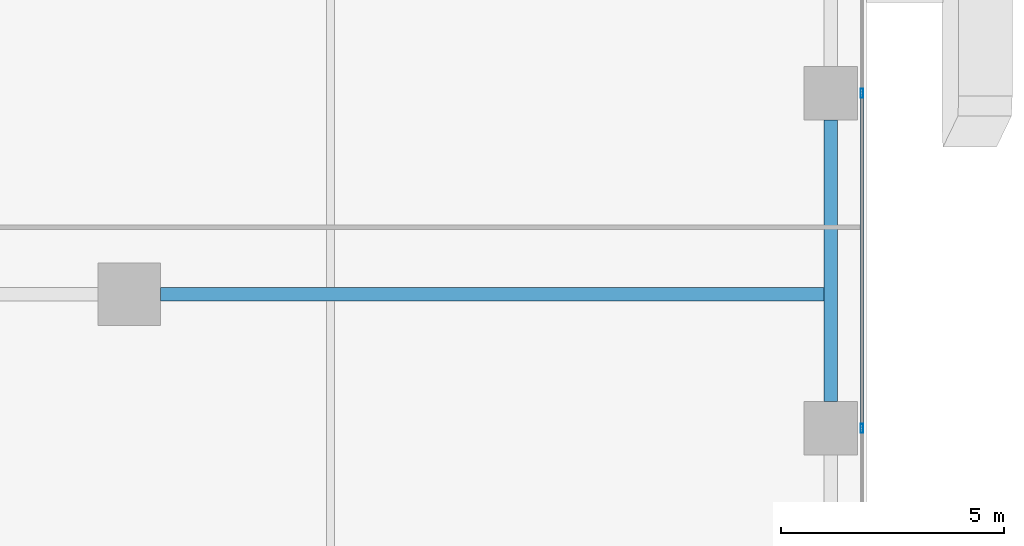
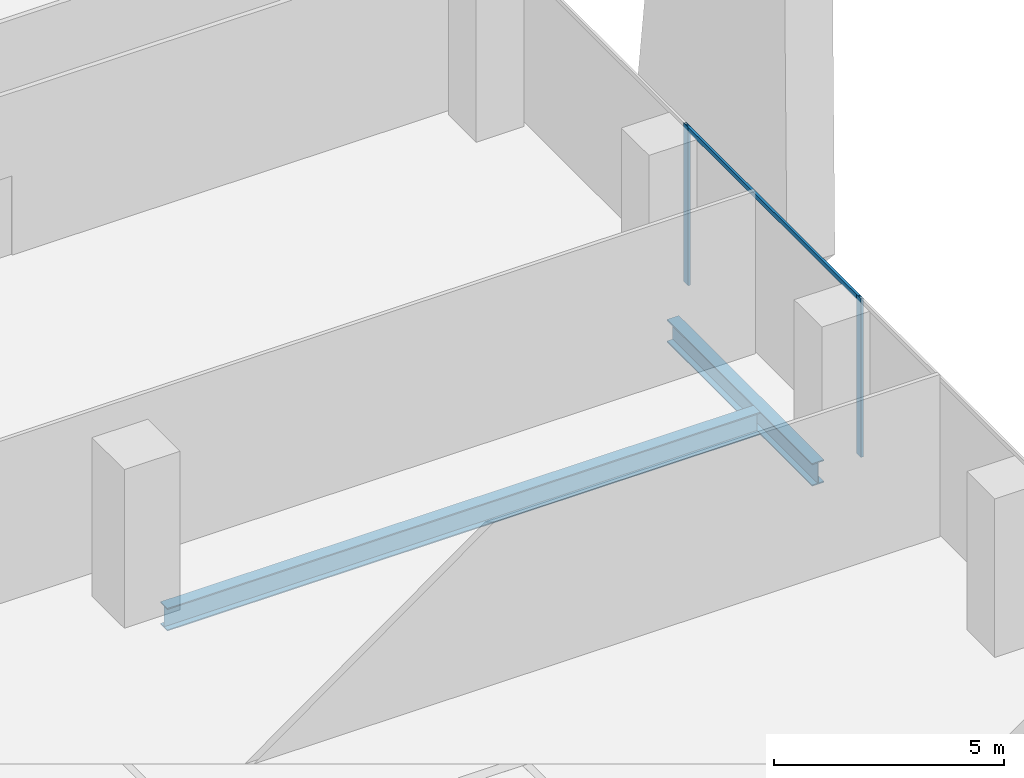
# One storey, part 10 of 34: 3 members, 2 beams, 1 element without a shape of its own.
"""IFC4 building model written with IfcOpenShell, lengths in metres."""

from ifc_helpers import new_model, si_unit, direction, frame, origin, origin_2d, place, context, subcontext, project, spatial, hollow_rectangle, i_section, extrude, source, transform, mapped, material, material_profile, profile_set, type_object, element, aggregate, save


model = new_model("IFC4")

# Units and contexts
model_context = context("Model", 3, precision=1e-05, world=origin(), true_north=direction((0.0, 1.0)))
body_context = subcontext(model_context, "Body", "Model", "MODEL_VIEW")
ifc_project = project(units=[si_unit("LENGTHUNIT", "METRE"), si_unit("AREAUNIT", "SQUARE_METRE"), si_unit("VOLUMEUNIT", "CUBIC_METRE"), si_unit("PLANEANGLEUNIT", "RADIAN"), si_unit("MASSUNIT", "GRAM", prefix="KILO")], contexts=[model_context])

# Site, building, storey
site_placement = place(None, origin())
site = spatial("IfcSite", under=ifc_project, at=site_placement, CompositionType="ELEMENT")
building_placement = place(site_placement, origin())
building = spatial("IfcBuilding", under=site, at=building_placement, Name="Khomas Fold Tower", CompositionType="ELEMENT")
storey_placement = place(building_placement, frame((0.0, 0.0, 51.0)))
storey = spatial("IfcBuildingStorey", under=building, at=storey_placement, Name="L10", CompositionType="ELEMENT", Elevation=51.0)

# Beams
ifc_material_1 = material(Name="Steel S355", Category="steel")
ifc_material_profile_1 = material_profile(ifc_material_1, i_section(OverallWidth=0.300048828125, OverallDepth=0.60009765625, WebThickness=0.015380859375, FlangeThickness=0.030029296875, at=origin_2d()), Name="HE 600 B")
ifc_profile_set_1 = profile_set([ifc_material_profile_1], Name="Steel S355")
beam_type_1 = type_object("IfcBeamType", Name="HE 600 B spandrel SB1", PredefinedType="SPANDREL", material=ifc_profile_set_1)
shared_shape_1 = source(origin(), body_context, "Body", "SweptSolid", [
    extrude(i_section(OverallWidth=0.300048828125, OverallDepth=0.60009765625, WebThickness=0.015380859375, FlangeThickness=0.030029296875, at=origin_2d()), origin(), (0.0, 0.0, 1.0), 6.2998046875),
])
beam_1_placement = place(storey_placement, frame((53.199951171875, 20.10009765625, -0.60009765625), z_axis=(0.0, 1.0, 0.0), x_axis=(-1.0, 0.0, 0.0)))
element("IfcBeam", 1, at=beam_1_placement, inside=storey, type_object=beam_type_1, Name="SB1", PredefinedType="SPANDREL", context=body_context, shape_type="MappedRepresentation", body=[
    mapped(shared_shape_1, transform((0.0, 0.0, 0.0))),
])
ifc_material_2 = material(Name="Steel S355", Category="steel")
ifc_material_profile_2 = material_profile(ifc_material_2, i_section(OverallWidth=0.300048828125, OverallDepth=0.60009765625, WebThickness=0.015380859375, FlangeThickness=0.030029296875, at=origin_2d()), Name="HE 600 B")
ifc_profile_set_2 = profile_set([ifc_material_profile_2], Name="Steel S355")
beam_type_2 = type_object("IfcBeamType", Name="HE 600 B beam GB5", PredefinedType="BEAM", material=ifc_profile_set_2)
shared_shape_2 = source(origin(), body_context, "Body", "SweptSolid", [
    extrude(i_section(OverallWidth=0.300048828125, OverallDepth=0.60009765625, WebThickness=0.015380859375, FlangeThickness=0.030029296875, at=origin_2d()), origin(), (0.0, 0.0, 1.0), 14.85009765625),
])
beam_2_placement = place(storey_placement, frame((38.199951171875, 22.5, -0.60009765625), z_axis=(1.0, 0.0, 0.0), x_axis=(0.0, 1.0, 0.0)))
element("IfcBeam", 2, at=beam_2_placement, inside=storey, type_object=beam_type_2, Name="GB5", PredefinedType="BEAM", context=body_context, shape_type="MappedRepresentation", body=[
    mapped(shared_shape_2, transform((0.0, 0.0, 0.0))),
])

# Curtain wall, members
ifc_material_3 = material(Name="Aluminium framed double glazing", Category="aluminium")
curtain_wall_type = type_object("IfcCurtainWallType", Name="SK-Unitised clear-glass wall, growing floors CW1", PredefinedType="NOTDEFINED", material=ifc_material_3)
curtain_wall_placement = place(storey_placement, origin())
curtain_wall = element("IfcCurtainWall", 3, at=curtain_wall_placement, inside=storey, type_object=curtain_wall_type, Name="CW1 run L10 03-0", PredefinedType="NOTDEFINED")
ifc_material_4 = material(Name="Aluminium", Category="aluminium")
ifc_material_profile_3 = material_profile(ifc_material_4, hollow_rectangle(XDim=0.06005859375, YDim=0.1201171875, WallThickness=0.00390625, at=origin_2d()), Name="SK-Unitised clear-glass wall, growing floors transom CW1-T")
ifc_profile_set_3 = profile_set([ifc_material_profile_3], Name="Aluminium")
member_type_1 = type_object("IfcMemberType", Name="SK-Unitised clear-glass wall, growing floors transom CW1-T", PredefinedType="USERDEFINED", material=ifc_profile_set_3)
shared_shape_3 = source(origin(), body_context, "Body", "SweptSolid", [
    extrude(hollow_rectangle(XDim=0.06005859375, YDim=0.1201171875, WallThickness=0.00390625, at=origin_2d()), origin(), (0.0, 0.0, 1.0), 7.43994140625),
])
member_1_placement = place(storey_placement, frame((53.89990234375, 19.530029296875, 4.139892578125), z_axis=(0.0, 1.0, 0.0), x_axis=(-1.0, 0.0, 0.0)))
member_1 = element("IfcMember", 4, at=member_1_placement, type_object=member_type_1, Name="CW1 transom 4", ObjectType="TRANSOM", PredefinedType="USERDEFINED", context=body_context, shape_type="MappedRepresentation", body=[
    mapped(shared_shape_3, transform((0.0, 0.0, 0.0))),
])
ifc_material_5 = material(Name="Aluminium", Category="aluminium")
ifc_material_profile_4 = material_profile(ifc_material_5, hollow_rectangle(XDim=0.06005859375, YDim=0.199951171875, WallThickness=0.00390625, at=origin_2d()), Name="SK-Unitised clear-glass wall, growing floors mullion CW1-M")
ifc_profile_set_4 = profile_set([ifc_material_profile_4], Name="Aluminium")
member_type_2 = type_object("IfcMemberType", Name="SK-Unitised clear-glass wall, growing floors mullion CW1-M", PredefinedType="MULLION", material=ifc_profile_set_4)
shared_shape_4 = source(origin(), body_context, "Body", "SweptSolid", [
    extrude(hollow_rectangle(XDim=0.06005859375, YDim=0.199951171875, WallThickness=0.00390625, at=origin_2d()), origin(), (0.0, 0.0, 1.0), 4.199951171875),
])
member_2_placement = place(storey_placement, frame((53.89990234375, 19.5, 0.0), z_axis=(0.0, 0.0, 1.0), x_axis=(-1.0, 0.0, 0.0)))
member_2 = element("IfcMember", 5, at=member_2_placement, type_object=member_type_2, Name="CW1 mullion 4", PredefinedType="MULLION", context=body_context, shape_type="MappedRepresentation", body=[
    mapped(shared_shape_4, transform((0.0, 0.0, 0.0))),
])
member_3_placement = place(storey_placement, frame((53.89990234375, 27.0, 0.0), z_axis=(0.0, 0.0, 1.0), x_axis=(-1.0, 0.0, 0.0)))
member_3 = element("IfcMember", 6, at=member_3_placement, type_object=member_type_2, Name="CW1 mullion 5", PredefinedType="MULLION", context=body_context, shape_type="MappedRepresentation", body=[
    mapped(shared_shape_4, transform((0.0, 0.0, 0.0))),
])
aggregate(curtain_wall, [member_2, member_3, member_1])

save(model, "model.ifc")
